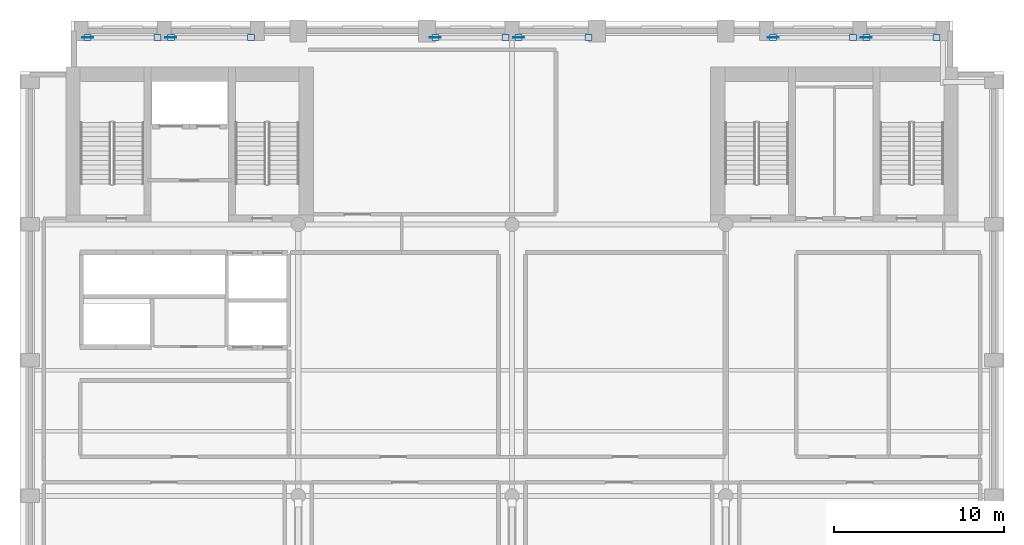
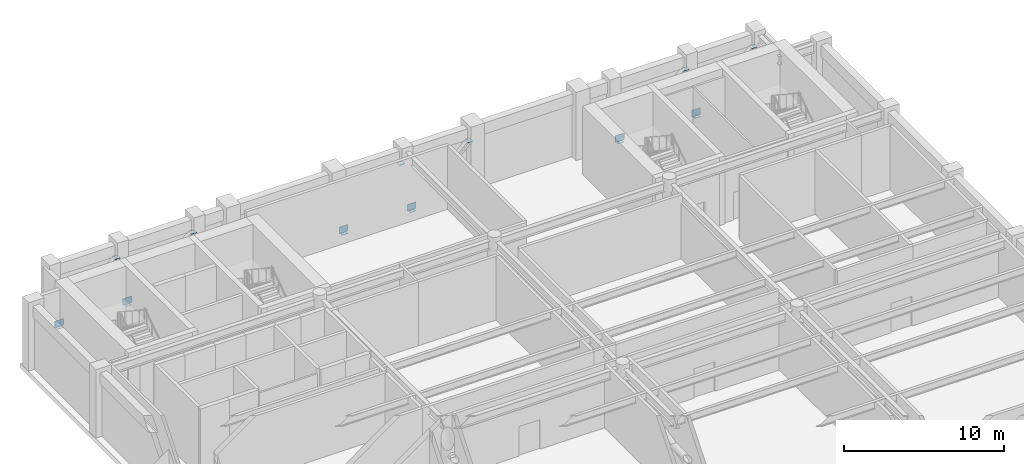
# One storey, part 4 of 11: 18 plates.
"""IFC4 building model written with IfcOpenShell, lengths in metres."""

from ifc_helpers import new_model, si_unit, direction, frame, origin, origin_2d, place, context, subcontext, project, spatial, rectangle, extrude, material, layer, layer_set, type_object, element, save


model = new_model("IFC4")

# Units and contexts
model_context = context("Model", 3, precision=1e-05, world=origin(), true_north=direction((0.0, 1.0)))
body_context = subcontext(model_context, "Body", "Model", "MODEL_VIEW")
ifc_project = project(units=[si_unit("LENGTHUNIT", "METRE"), si_unit("AREAUNIT", "SQUARE_METRE"), si_unit("VOLUMEUNIT", "CUBIC_METRE"), si_unit("PLANEANGLEUNIT", "RADIAN"), si_unit("MASSUNIT", "GRAM", prefix="KILO")], contexts=[model_context])

# Site, building, storey
site_placement = place(None, origin())
site = spatial("IfcSite", under=ifc_project, at=site_placement, CompositionType="ELEMENT")
building_placement = place(site_placement, origin())
building = spatial("IfcBuilding", under=site, at=building_placement, Name="Sulina Concourse Tower", CompositionType="ELEMENT")
storey_placement = place(building_placement, frame((0.0, 0.0, 160.60009765625)))
storey = spatial("IfcBuildingStorey", under=building, at=storey_placement, Name="L39", CompositionType="ELEMENT", Elevation=160.60009765625)

# Plates
ifc_material_1 = material(Name="Steel S355", Category="steel")
ifc_layer_1 = layer(ifc_material_1, 0.02490234375)
ifc_layer_set_1 = layer_set([ifc_layer_1], Name="Steel S355")
plate_type_1 = type_object("IfcPlateType", Name="Belt Truss Node Gusset Plate 25mm", PredefinedType="USERDEFINED", material=ifc_layer_set_1)
for number, where, z_axis, x_axis, name in (
    (1, (3.989990234375, 45.02001953125, 0.199951171875), (0.0, 0.0, 1.0), (1.0, 0.0, 0.0), "BLT-N1-L39 node gusset plate"),
    (2, (8.889892578125, 45.02001953125, 0.199951171875), (0.0, 0.0, 1.0), (1.0, 0.0, 0.0), "BLT-N2-L39 node gusset plate"),
    (3, (24.489990234375, 45.02001953125, 0.199951171875), (0.0, 0.0, 1.0), (1.0, 0.0, 0.0), "BLT-N3-L39 node gusset plate"),
    (4, (29.389892578125, 45.02001953125, 0.199951171875), (0.0, 0.0, 1.0), (1.0, 0.0, 0.0), "BLT-N4-L39 node gusset plate"),
    (5, (44.389892578125, 45.02001953125, 0.199951171875), (0.0, 0.0, 1.0), (1.0, 0.0, 0.0), "BLT-N5-L39 node gusset plate"),
    (6, (49.889892578125, 45.02001953125, 0.199951171875), (0.0, 0.0, 1.0), (1.0, 0.0, 0.0), "BLT-N6-L39 node gusset plate"),
):
    element("IfcPlate", number, at=place(storey_placement, frame(where, z_axis=z_axis, x_axis=x_axis)), inside=storey, type_object=plate_type_1, Name=name, ObjectType="GUSSET_PLATE", PredefinedType="USERDEFINED", context=body_context, shape_type="SweptSolid", body=[
        extrude(rectangle(XDim=0.64990234375, YDim=0.02490234375, at=origin_2d()), origin(), (0.0, 0.0, 1.0), 0.5),
    ])
ifc_material_2 = material(Name="Steel S355", Category="steel")
ifc_layer_2 = layer(ifc_material_2, 0.02001953125)
ifc_layer_set_2 = layer_set([ifc_layer_2], Name="Steel S355")
plate_type_2 = type_object("IfcPlateType", Name="Upper Hollow Brace End-Cap Plate 20mm", PredefinedType="USERDEFINED", material=ifc_layer_set_2)
for number, where, z_axis, x_axis, name in (
    (7, (3.989990234375, 45.02001953125, 0.139892578125), (0.0, 0.0, 1.0), (1.0, 0.0, 0.0), "BLT-N1-L39 end cap plate 1"),
    (8, (8.110107421875, 45.02001953125, 4.010009765625), (0.0, 0.0, 1.0), (1.0, 0.0, 0.0), "BLT-N1-L39 end cap plate 2"),
    (9, (8.889892578125, 45.02001953125, 0.139892578125), (0.0, 0.0, 1.0), (1.0, 0.0, 0.0), "BLT-N2-L39 end cap plate 1"),
    (10, (13.610107421875, 45.02001953125, 4.010009765625), (0.0, 0.0, 1.0), (1.0, 0.0, 0.0), "BLT-N2-L39 end cap plate 2"),
    (11, (24.489990234375, 45.02001953125, 0.139892578125), (0.0, 0.0, 1.0), (1.0, 0.0, 0.0), "BLT-N3-L39 end cap plate 1"),
    (12, (28.610107421875, 45.02001953125, 4.010009765625), (0.0, 0.0, 1.0), (1.0, 0.0, 0.0), "BLT-N3-L39 end cap plate 2"),
    (13, (29.389892578125, 45.02001953125, 0.139892578125), (0.0, 0.0, 1.0), (1.0, 0.0, 0.0), "BLT-N4-L39 end cap plate 1"),
    (14, (33.510009765625, 45.02001953125, 4.010009765625), (0.0, 0.0, 1.0), (1.0, 0.0, 0.0), "BLT-N4-L39 end cap plate 2"),
    (15, (44.389892578125, 45.02001953125, 0.139892578125), (0.0, 0.0, 1.0), (1.0, 0.0, 0.0), "BLT-N5-L39 end cap plate 1"),
    (16, (49.110107421875, 45.02001953125, 4.010009765625), (0.0, 0.0, 1.0), (1.0, 0.0, 0.0), "BLT-N5-L39 end cap plate 2"),
    (17, (49.889892578125, 45.02001953125, 0.139892578125), (0.0, 0.0, 1.0), (1.0, 0.0, 0.0), "BLT-N6-L39 end cap plate 1"),
    (18, (54.010009765625, 45.02001953125, 4.010009765625), (0.0, 0.0, 1.0), (1.0, 0.0, 0.0), "BLT-N6-L39 end cap plate 2"),
):
    element("IfcPlate", number, at=place(storey_placement, frame(where, z_axis=z_axis, x_axis=x_axis)), inside=storey, type_object=plate_type_2, Name=name, ObjectType="CAP_PLATE", PredefinedType="USERDEFINED", context=body_context, shape_type="SweptSolid", body=[
        extrude(rectangle(XDim=0.409912109375, YDim=0.360107421875, at=origin_2d()), origin(), (0.0, 0.0, 1.0), 0.02001953125),
    ])

save(model, "model.ifc")
